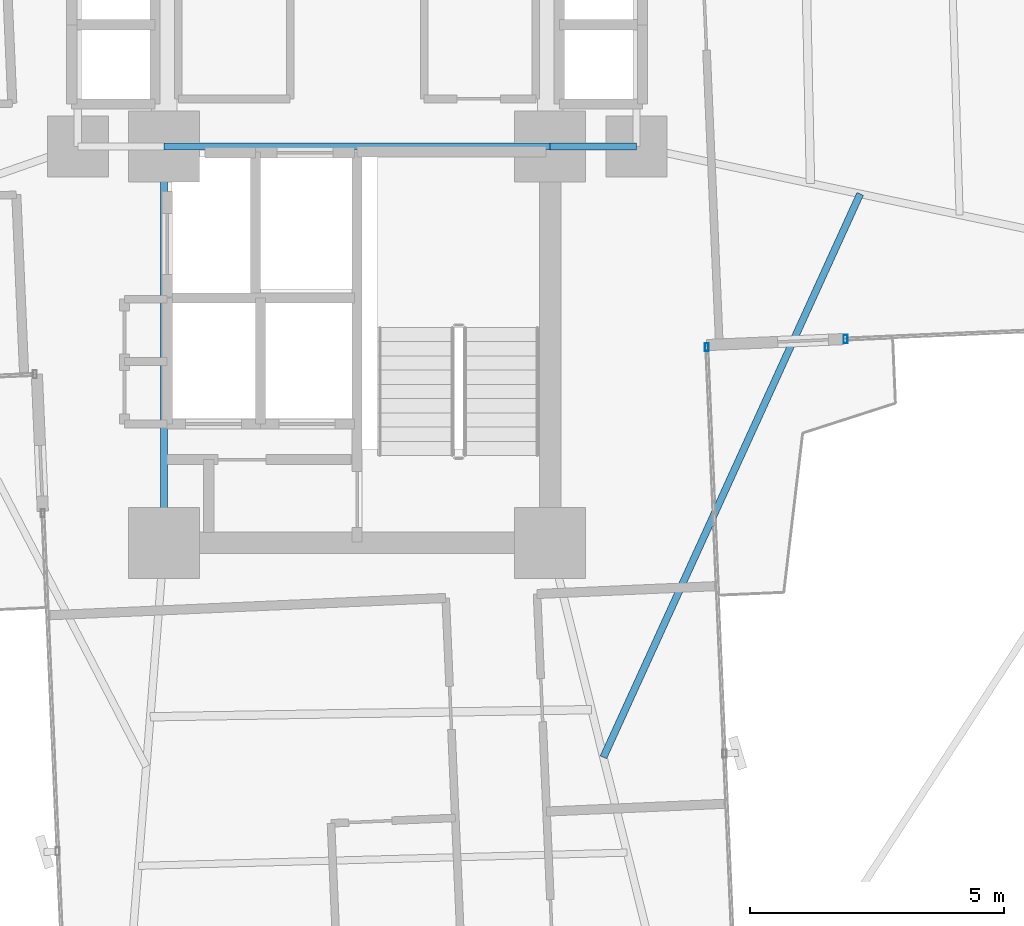
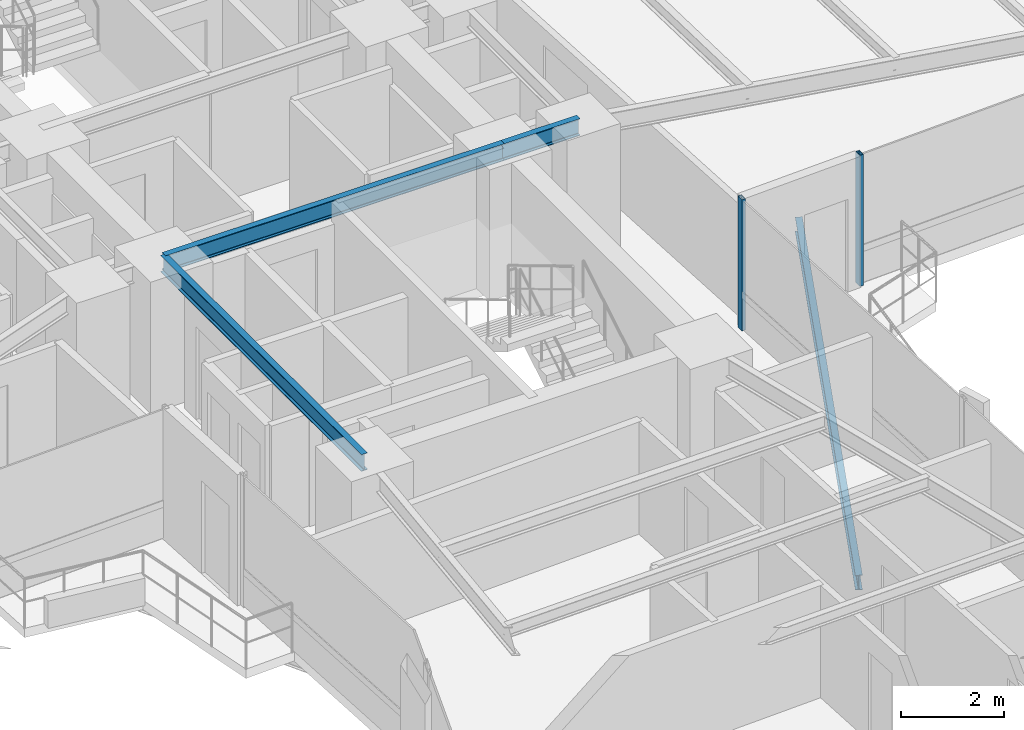
# One storey, part 11 of 26: 4 beams, 2 members, 2 elements without a shape of their own.
"""IFC4 building model written with IfcOpenShell, lengths in metres."""

from ifc_helpers import new_model, si_unit, direction, frame, origin, origin_2d, place, context, subcontext, project, spatial, hollow_rectangle, i_section, extrude, source, transform, mapped, material, material_profile, profile_set, type_object, element, aggregate, save


model = new_model("IFC4")

# Units and contexts
model_context = context("Model", 3, precision=1e-05, world=origin(), true_north=direction((0.0, 1.0)))
body_context = subcontext(model_context, "Body", "Model", "MODEL_VIEW")
ifc_project = project(units=[si_unit("LENGTHUNIT", "METRE"), si_unit("AREAUNIT", "SQUARE_METRE"), si_unit("VOLUMEUNIT", "CUBIC_METRE"), si_unit("PLANEANGLEUNIT", "RADIAN"), si_unit("MASSUNIT", "GRAM", prefix="KILO")], contexts=[model_context])

# Site, building, storey
site_placement = place(None, origin())
site = spatial("IfcSite", under=ifc_project, at=site_placement, CompositionType="ELEMENT")
building_placement = place(site_placement, origin())
building = spatial("IfcBuilding", under=site, at=building_placement, Name="Sahyath Konkavel Grand Hotel", CompositionType="ELEMENT")
storey_placement = place(building_placement, frame((0.0, 0.0, 121.5)))
storey = spatial("IfcBuildingStorey", under=building, at=storey_placement, Name="L33", CompositionType="ELEMENT", Elevation=121.5)

# Beams
ifc_material_1 = material(Name="Steel E350", Category="steel")
ifc_material_profile_1 = material_profile(ifc_material_1, i_section(OverallWidth=0.139892578125, OverallDepth=0.39990234375, WebThickness=0.0087890625, FlangeThickness=0.01611328125, FilletRadius=0.013916015625, at=origin_2d()), Name="ISMB 400")
ifc_profile_set_1 = profile_set([ifc_material_profile_1], Name="Steel E350")
beam_type_1 = type_object("IfcBeamType", Name="BM-ISMB400", PredefinedType="BEAM", material=ifc_profile_set_1)
shared_shape_1 = source(origin(), body_context, "Body", "SweptSolid", [
    extrude(i_section(OverallWidth=0.139892578125, OverallDepth=0.39990234375, WebThickness=0.0087890625, FlangeThickness=0.01611328125, FilletRadius=0.013916015625, at=origin_2d()), origin(), (0.0, 0.0, 1.0), 7.60009765625),
])
beam_1_placement = place(storey_placement, frame((-3.800048828125, -2.39990234375, 2.909912109375), z_axis=(1.0, 0.0, 0.0), x_axis=(0.0, 1.0, 0.0)))
element("IfcBeam", 1, at=beam_1_placement, inside=storey, type_object=beam_type_1, Name="str:bm:L33:SC-N", PredefinedType="BEAM", context=body_context, shape_type="MappedRepresentation", body=[
    mapped(shared_shape_1, transform((0.0, 0.0, 0.0), scale=1.0)),
])
shared_shape_2 = source(origin(), body_context, "Body", "SweptSolid", [
    extrude(i_section(OverallWidth=0.139892578125, OverallDepth=0.39990234375, WebThickness=0.0087890625, FlangeThickness=0.01611328125, FilletRadius=0.013916015625, at=origin_2d()), origin(), (0.0, 0.0, 1.0), 7.800048828125),
])
beam_2_placement = place(storey_placement, frame((-3.800048828125, -10.199951171875, 2.909912109375), z_axis=(0.0, 1.0, 0.0), x_axis=(-1.0, 0.0, 0.0)))
element("IfcBeam", 2, at=beam_2_placement, inside=storey, type_object=beam_type_1, Name="str:bm:L33:SC-W", PredefinedType="BEAM", context=body_context, shape_type="MappedRepresentation", body=[
    mapped(shared_shape_2, transform((0.0, 0.0, 0.0), scale=1.0)),
])
shared_shape_3 = source(origin(), body_context, "Body", "SweptSolid", [
    extrude(i_section(OverallWidth=0.139892578125, OverallDepth=0.39990234375, WebThickness=0.0087890625, FlangeThickness=0.01611328125, FilletRadius=0.013916015625, at=origin_2d()), origin(), (0.0, 0.0, 1.0), 1.699951171875),
])
beam_3_placement = place(storey_placement, frame((3.800048828125, -2.39990234375, 2.909912109375), z_axis=(1.0, 0.0, 0.0), x_axis=(0.0, 1.0, 0.0)))
element("IfcBeam", 3, at=beam_3_placement, inside=storey, type_object=beam_type_1, Name="str:bm:L33:HB-SE", PredefinedType="BEAM", context=body_context, shape_type="MappedRepresentation", body=[
    mapped(shared_shape_3, transform((0.0, 0.0, 0.0), scale=1.0)),
])

# Curtain wall, member
ifc_material_2 = material(Name="Anodised Bronze Aluminium & Low-E Glazing", Category="aluminium")
curtain_wall_type = type_object("IfcCurtainWallType", Name="CW-ZONE2", PredefinedType="NOTDEFINED", material=ifc_material_2)
curtain_wall_1_placement = place(storey_placement, origin())
curtain_wall_1 = element("IfcCurtainWall", 4, at=curtain_wall_1_placement, inside=storey, type_object=curtain_wall_type, Name="L33 Unitised Curtain Wall F0", PredefinedType="NOTDEFINED")
ifc_material_3 = material(Name="Anodised Bronze Aluminium", Category="aluminium")
ifc_material_profile_2 = material_profile(ifc_material_3, hollow_rectangle(XDim=0.080078125, YDim=0.159912109375, WallThickness=0.006103515625, at=origin_2d()), Name="RHS 160x80x6")
ifc_profile_set_2 = profile_set([ifc_material_profile_2], Name="Anodised Bronze Aluminium")
member_type = type_object("IfcMemberType", Name="CW-MUL-160", PredefinedType="MULLION", material=ifc_profile_set_2)
shared_shape_4 = source(origin(), body_context, "Body", "SweptSolid", [
    extrude(hollow_rectangle(XDim=0.080078125, YDim=0.159912109375, WallThickness=0.006103515625, at=origin_2d()), origin(), (0.0, 0.0, 1.0), 3.110107421875),
])
member_1_placement = place(storey_placement, frame((9.618896484375, -6.186279296875, 0.0), z_axis=(0.0, 0.0, 1.0), x_axis=(1.0, 0.0, 0.0)))
member_1 = element("IfcMember", 5, at=member_1_placement, type_object=member_type, Name="L33 Curtain Wall Mullion F0-0", PredefinedType="MULLION", context=body_context, shape_type="MappedRepresentation", body=[
    mapped(shared_shape_4, transform((0.0, 0.0, 0.0), scale=1.0)),
])
aggregate(curtain_wall_1, [member_1])

curtain_wall_2_placement = place(storey_placement, origin())
curtain_wall_2 = element("IfcCurtainWall", 6, at=curtain_wall_2_placement, inside=storey, type_object=curtain_wall_type, Name="L33 Unitised Curtain Wall F31", PredefinedType="NOTDEFINED")
member_2_placement = place(storey_placement, frame((6.88330078125, -6.345703125, 0.0), z_axis=(0.0, 0.0, 1.0), x_axis=(1.0, 0.0, 0.0)))
member_2 = element("IfcMember", 7, at=member_2_placement, type_object=member_type, Name="L33 Curtain Wall Mullion F31-2", PredefinedType="MULLION", context=body_context, shape_type="MappedRepresentation", body=[
    mapped(shared_shape_4, transform((0.0, 0.0, 0.0), scale=1.0)),
])
aggregate(curtain_wall_2, [member_2])

# Beam
ifc_material_profile_3 = material_profile(ifc_material_1, i_section(OverallWidth=0.139892578125, OverallDepth=0.35009765625, WebThickness=0.008056640625, FlangeThickness=0.01416015625, FilletRadius=0.013916015625, at=origin_2d()), Name="ISMB 350")
ifc_profile_set_3 = profile_set([ifc_material_profile_3], Name="Steel E350")
beam_type_2 = type_object("IfcBeamType", Name="BM-BALC-CANT", PredefinedType="BEAM", material=ifc_profile_set_3)
shared_shape_5 = source(origin(), body_context, "Body", "SweptSolid", [
    extrude(i_section(OverallWidth=0.139892578125, OverallDepth=0.35009765625, WebThickness=0.008056640625, FlangeThickness=0.01416015625, FilletRadius=0.013916015625, at=origin_2d()), origin(), (0.0, 0.0, 1.0), 12.190673828125),
])
beam_4_placement = place(storey_placement, frame((4.8486328125, -14.422119140625, -0.4150390625), z_axis=(0.414712580086, 0.909952458054, 0.0), x_axis=(-0.909952458054, 0.414712580086, 0.0)))
element("IfcBeam", 8, at=beam_4_placement, inside=storey, type_object=beam_type_2, Name="L33 Balcony Cantilever Support Beam SE", PredefinedType="BEAM", context=body_context, shape_type="MappedRepresentation", body=[
    mapped(shared_shape_5, transform((0.0, 0.0, 0.0), scale=1.0)),
])

save(model, "model.ifc")
